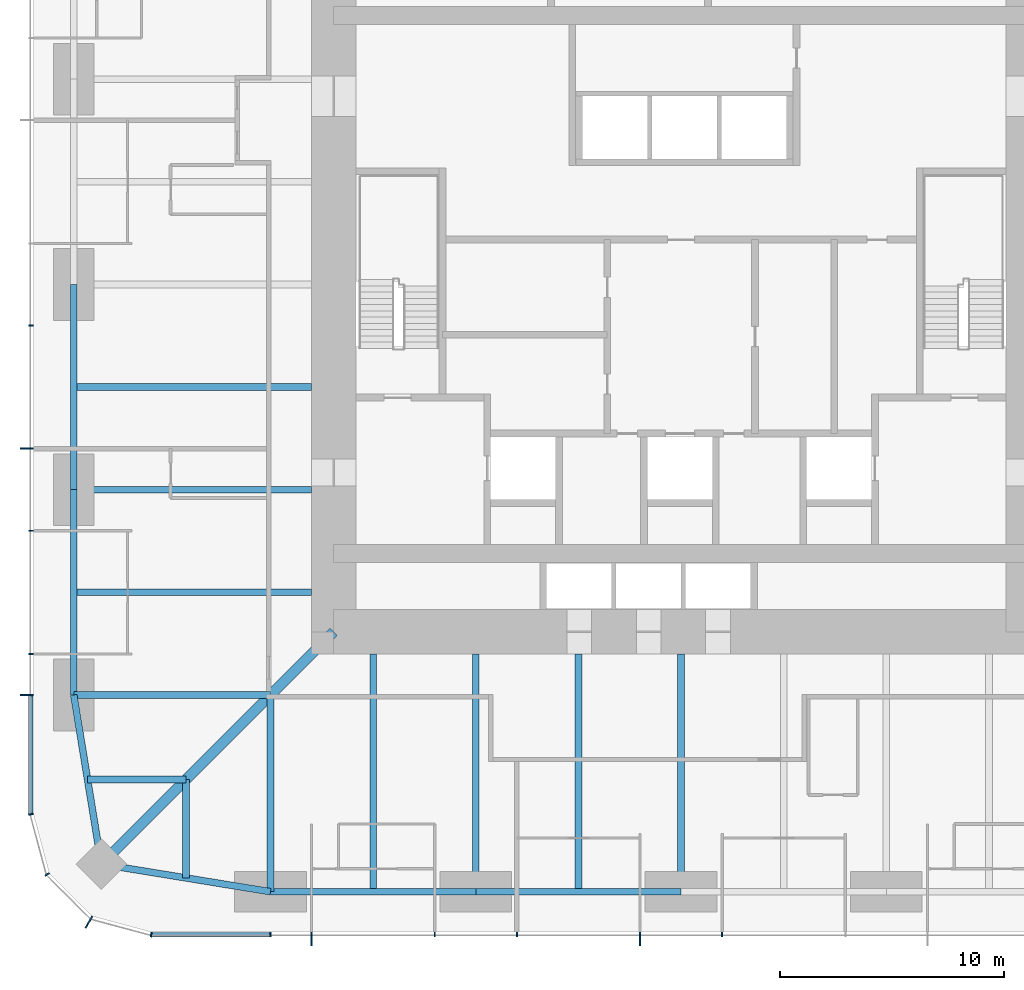
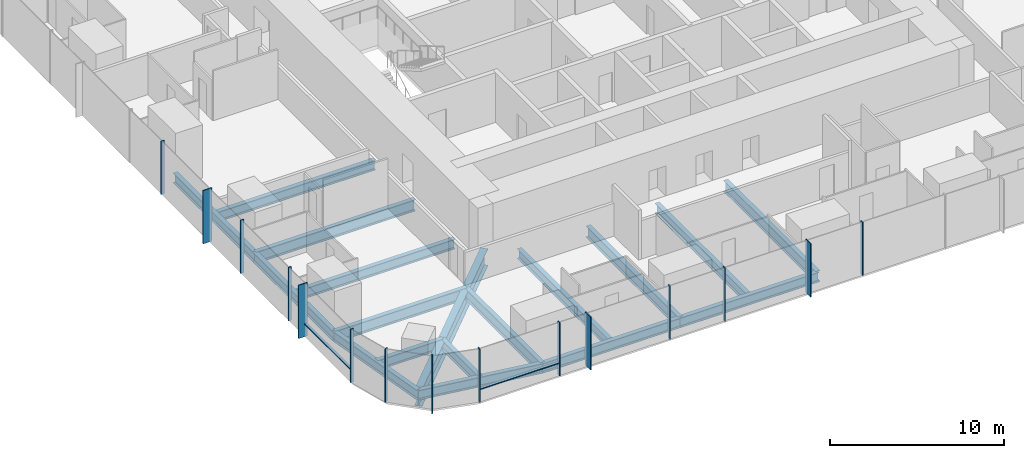
# One storey, part 2 of 13: 18 beams, 17 members, 3 elements without a shape of their own.
"""IFC4 building model written with IfcOpenShell, lengths in metres."""

import ifcopenshell
import ifcopenshell.guid

model = None  # the IFC model being written
_history = None  # IfcOwnerHistory: only IFC2X3 demands one
_inside = {}  # id of a spatial element -> (the spatial element, [elements in it])
_under = {}  # id of a project, library or spatial element -> (it, [spatial elements below it])
_declared = {}  # id of a project -> (the project, [libraries it declares])
_typed = {}  # id of a type object -> (the type object, [elements of that type])
_made_of = {}  # id of a material, layer set ... -> (it, [elements and type objects made of it])


def new_model(schema):
    """Start an empty IFC model of exactly this schema.

    Asked for "IFC4X3", IfcOpenShell would pick the latest addendum, in which some entities
    have other attributes; the version numbers below select the first issue.
    IFC2X3 requires an IfcOwnerHistory on every rooted entity: one is made here for all.
    """
    global model, _history
    if schema == "IFC4X3":
        model = ifcopenshell.file(schema_version=(4, 3, 0, 0))
    else:
        model = ifcopenshell.file(schema=schema)
    _inside.clear()
    _under.clear()
    _declared.clear()
    _typed.clear()
    _made_of.clear()
    _history = None
    if model.schema == "IFC2X3":
        org = make("IfcOrganization", Name="unknown")
        user = make(
            "IfcPersonAndOrganization",
            ThePerson=make("IfcPerson", FamilyName="unknown"),
            TheOrganization=org,
        )
        app = make(
            "IfcApplication",
            ApplicationDeveloper=org,
            Version="unknown",
            ApplicationFullName="unknown",
            ApplicationIdentifier="unknown",
        )
        _history = make(
            "IfcOwnerHistory",
            OwningUser=user,
            OwningApplication=app,
            ChangeAction="ADDED",
            CreationDate=0,
        )
    return model


def make(cls, **values):
    """One entity of the class cls with the attributes given. An attribute that is None is left unset."""
    return model.create_entity(
        cls, **{name: value for name, value in values.items() if value is not None}
    )


def rooted(cls, **values):
    """An entity with a GlobalId (a new one), such as an element, a storey or a relation."""
    return make(cls, GlobalId=ifcopenshell.guid.new(), OwnerHistory=_history, **values)


def si_unit(unit_type, name, prefix=None):
    """IfcSIUnit, for example si_unit("LENGTHUNIT", "METRE", prefix="MILLI")."""
    return make("IfcSIUnit", UnitType=unit_type, Prefix=prefix, Name=name)


def assignment(units):
    """IfcUnitAssignment: the units of a project."""
    return None if units is None else make("IfcUnitAssignment", Units=units)


def point(xyz):
    """IfcCartesianPoint."""
    return None if xyz is None else make("IfcCartesianPoint", Coordinates=xyz)


def direction(xyz):
    """IfcDirection."""
    return None if xyz is None else make("IfcDirection", DirectionRatios=xyz)


def frame(location, z_axis=None, x_axis=None):
    """IfcAxis2Placement3D, a coordinate frame: its origin and axes. An axis left out is left unset."""
    return make(
        "IfcAxis2Placement3D",
        Location=point(location),
        Axis=direction(z_axis),
        RefDirection=direction(x_axis),
    )


def frame_2d(location, x_axis=None):
    """IfcAxis2Placement2D, a coordinate frame in the plane: its origin and x axis."""
    return make(
        "IfcAxis2Placement2D", Location=point(location), RefDirection=direction(x_axis)
    )


def origin():
    """The frame at (0, 0, 0) with its axes left unset."""
    return frame((0.0, 0.0, 0.0))


def origin_2d():
    """The frame at (0, 0) in the plane with its x axis left unset."""
    return frame_2d((0.0, 0.0))


def place(relative_to, where):
    """IfcLocalPlacement: puts the frame where relative to a parent placement (None: the world)."""
    return make(
        "IfcLocalPlacement", PlacementRelTo=relative_to, RelativePlacement=where
    )


def context(
    kind, dimensions, precision=None, world=None, true_north=None, identifier=None
):
    """IfcGeometricRepresentationContext, for example the 3D "Model" context."""
    return make(
        "IfcGeometricRepresentationContext",
        ContextIdentifier=identifier,
        ContextType=kind,
        CoordinateSpaceDimension=dimensions,
        Precision=precision,
        WorldCoordinateSystem=world,
        TrueNorth=true_north,
    )


def subcontext(parent, identifier, kind, view, scale=None):
    """IfcGeometricRepresentationSubContext, for example "Body" below "Model"."""
    return make(
        "IfcGeometricRepresentationSubContext",
        ContextIdentifier=identifier,
        ContextType=kind,
        ParentContext=parent,
        TargetScale=scale,
        TargetView=view,
    )


def project(units=None, contexts=None):
    """IfcProject with its units and contexts."""
    return rooted(
        "IfcProject",
        Name="project",
        RepresentationContexts=contexts,
        UnitsInContext=assignment(units),
    )


def spatial(cls, under=None, at=None, **own):
    """A site, building, storey or space (cls), placed at a placement, below another one or the project."""
    s = rooted(cls, ObjectPlacement=at, **own)
    if under is not None:
        _under.setdefault(under.id(), (under, []))[1].append(s)
    return s


def profile(cls, at=None, kind="AREA", **sizes):
    """A parametric profile (cls). Its sizes go by their IFC names, for example OverallWidth=200.0."""
    return make(cls, ProfileType=kind, Position=at, **sizes)


def rectangle(**sizes):
    """IfcRectangleProfileDef."""
    return profile("IfcRectangleProfileDef", **sizes)


def i_section(**sizes):
    """IfcIShapeProfileDef."""
    return profile("IfcIShapeProfileDef", **sizes)


def extrude(swept, where, along, depth):
    """IfcExtrudedAreaSolid: the profile swept, set in the frame where, extruded along a direction by depth."""
    return make(
        "IfcExtrudedAreaSolid",
        SweptArea=swept,
        Position=where,
        ExtrudedDirection=direction(along),
        Depth=depth,
    )


def shape(context_of_items, identifier, shape_type, items):
    """IfcShapeRepresentation: the items that make up one representation, for example the "Body"."""
    return make(
        "IfcShapeRepresentation",
        ContextOfItems=context_of_items,
        RepresentationIdentifier=identifier,
        RepresentationType=shape_type,
        Items=items,
    )


def material(Name=None, Category=None):
    """IfcMaterial."""
    return make("IfcMaterial", Name=Name, Category=Category)


def material_profile(
    of_material, cross_section, Name=None, Category=None, Priority=None
):
    """IfcMaterialProfile: a cross section and its material."""
    return make(
        "IfcMaterialProfile",
        Name=Name,
        Material=of_material,
        Profile=cross_section,
        Priority=Priority,
        Category=Category,
    )


def profile_set(profiles, Name=None, composite=None):
    """IfcMaterialProfileSet."""
    return make(
        "IfcMaterialProfileSet",
        Name=Name,
        MaterialProfiles=profiles,
        CompositeProfile=composite,
    )


def made_of(thing, what):
    """Note that an element or type object is made of a material, layer set ...; save() writes the relation."""
    if what is not None:
        _made_of.setdefault(what.id(), (what, []))[1].append(thing)
    return thing


def type_object(cls, material=None, **own):
    """A type object (cls), such as IfcWallType, which elements share."""
    return made_of(rooted(cls, **own), material)


def element(
    cls,
    number,
    at=None,
    inside=None,
    cuts=None,
    type_object=None,
    material=None,
    context=None,
    identifier="Body",
    shape_type=None,
    held_by="IfcProductDefinitionShape",
    body=None,
    shapes=None,
    **own,
):
    """One element of the class cls, such as IfcWall. Its Tag is "e" and its number.

    at: its placement. inside: the storey or other place that contains it. cuts: it is an
    opening in that element (IfcRelVoidsElement). A single representation is given by context,
    identifier, shape_type and body (its items); several are given by shapes. held_by: the class
    of the entity that holds the representations. save() writes the other relations.
    """
    e = rooted(cls, Tag="e%d" % number, ObjectPlacement=at, **own)
    if body is not None:
        shapes = [shape(context, identifier, shape_type, body)]
    if shapes is not None:
        e.Representation = make(held_by, Representations=shapes)
    if inside is not None:
        _inside.setdefault(inside.id(), (inside, []))[1].append(e)
    if cuts is not None:
        rooted(
            "IfcRelVoidsElement", RelatingBuildingElement=cuts, RelatedOpeningElement=e
        )
    if type_object is not None:
        _typed.setdefault(type_object.id(), (type_object, []))[1].append(e)
    return made_of(e, material)


def aggregate(whole, parts):
    """IfcRelAggregates: a whole, such as a stair, and the parts it consists of."""
    return rooted("IfcRelAggregates", RelatingObject=whole, RelatedObjects=parts)


def save(model, path):
    """Write the relations noted so far, then the file.

    IfcRelAggregates (storeys below a building ...), IfcRelContainedInSpatialStructure (elements
    in a storey), IfcRelDefinesByType, IfcRelAssociatesMaterial and IfcRelDeclares: one each for
    every whole, place, type object, material and project.
    """
    for whole, parts in _under.values():
        aggregate(whole, parts)
    for where, things in _inside.values():
        rooted(
            "IfcRelContainedInSpatialStructure",
            RelatedElements=things,
            RelatingStructure=where,
        )
    for kind, things in _typed.values():
        rooted("IfcRelDefinesByType", RelatedObjects=things, RelatingType=kind)
    for what, things in _made_of.values():
        rooted("IfcRelAssociatesMaterial", RelatedObjects=things, RelatingMaterial=what)
    for by, libraries in _declared.values():
        rooted("IfcRelDeclares", RelatingContext=by, RelatedDefinitions=libraries)
    model.write(path)


model = new_model("IFC4")

# Units and contexts
model_context = context("Model", 3, precision=1e-05, world=origin(), true_north=direction((0.0, 1.0)))
body_context = subcontext(model_context, "Body", "Model", "MODEL_VIEW")
ifc_project = project(units=[si_unit("LENGTHUNIT", "METRE"), si_unit("AREAUNIT", "SQUARE_METRE"), si_unit("VOLUMEUNIT", "CUBIC_METRE"), si_unit("PLANEANGLEUNIT", "RADIAN"), si_unit("MASSUNIT", "GRAM", prefix="KILO")], contexts=[model_context])

# Site, building, storey
site_placement = place(None, origin())
site = spatial("IfcSite", under=ifc_project, at=site_placement, CompositionType="ELEMENT")
building_placement = place(site_placement, origin())
building = spatial("IfcBuilding", under=site, at=building_placement, Name="Khuree Lantern Residences", CompositionType="ELEMENT")
storey_placement = place(building_placement, frame((0.0, 0.0, 126.0)))
storey = spatial("IfcBuildingStorey", under=building, at=storey_placement, Name="L31", CompositionType="ELEMENT", Elevation=126.0)

# Beams
ifc_material_1 = material(Name="Steel S355", Category="steel")
ifc_material_profile_1 = material_profile(ifc_material_1, i_section(OverallWidth=0.300048828125, OverallDepth=0.68994140625, WebThickness=0.014404296875, FlangeThickness=0.027099609375, FilletRadius=0.027099609375, at=origin_2d()), Name="HE 700 A")
ifc_profile_set_1 = profile_set([ifc_material_profile_1], Name="Steel S355")
beam_type_1 = type_object("IfcBeamType", Name="B-22 SECONDARY BEAM HE 700 A", PredefinedType="BEAM", material=ifc_profile_set_1)
for number, where, z_axis, x_axis, name in (
    (1, (-4.580078125, -27.10009765625, -0.594970703125), (0.0, 1.0, 0.0), (-1.0, 0.0, 0.0), "Secondary beam S4"),
    (2, (-13.739990234375, -27.10009765625, -0.594970703125), (0.0, 1.0, 0.0), (-1.0, 0.0, 0.0), "Secondary beam S5"),
):
    element("IfcBeam", number, at=place(storey_placement, frame(where, z_axis=z_axis, x_axis=x_axis)), inside=storey, type_object=beam_type_1, Name=name, PredefinedType="BEAM", context=body_context, shape_type="SweptSolid", body=[
        extrude(i_section(OverallWidth=0.300048828125, OverallDepth=0.68994140625, WebThickness=0.014404296875, FlangeThickness=0.027099609375, FilletRadius=0.027099609375, at=origin_2d()), origin(), (0.0, 0.0, 1.0), 10.60009765625),
    ])
for number, where, z_axis, x_axis, name in (
    (3, (-22.094970703125, -26.48486328125, -0.594970703125), (0.0, 1.0, 0.0), (-1.0, 0.0, 0.0), "Secondary beam S6"),
    (4, (-26.48486328125, -22.094970703125, -0.594970703125), (1.0, 0.0, 0.0), (0.0, 1.0, 0.0), "Secondary beam W1"),
):
    element("IfcBeam", number, at=place(storey_placement, frame(where, z_axis=z_axis, x_axis=x_axis)), inside=storey, type_object=beam_type_1, Name=name, PredefinedType="BEAM", context=body_context, shape_type="SweptSolid", body=[
        extrude(i_section(OverallWidth=0.300048828125, OverallDepth=0.68994140625, WebThickness=0.014404296875, FlangeThickness=0.027099609375, FilletRadius=0.027099609375, at=origin_2d()), origin(), (0.0, 0.0, 1.0), 4.389892578125),
    ])
for number, where, z_axis, x_axis, name in (
    (5, (-27.10009765625, -13.739990234375, -0.594970703125), (1.0, 0.0, 0.0), (0.0, 1.0, 0.0), "Secondary beam W2"),
    (6, (-27.10009765625, -4.580078125, -0.594970703125), (1.0, 0.0, 0.0), (0.0, 1.0, 0.0), "Secondary beam W3"),
):
    element("IfcBeam", number, at=place(storey_placement, frame(where, z_axis=z_axis, x_axis=x_axis)), inside=storey, type_object=beam_type_1, Name=name, PredefinedType="BEAM", context=body_context, shape_type="SweptSolid", body=[
        extrude(i_section(OverallWidth=0.300048828125, OverallDepth=0.68994140625, WebThickness=0.014404296875, FlangeThickness=0.027099609375, FilletRadius=0.027099609375, at=origin_2d()), origin(), (0.0, 0.0, 1.0), 10.60009765625),
    ])
ifc_material_profile_2 = material_profile(ifc_material_1, i_section(OverallWidth=0.300048828125, OverallDepth=0.68994140625, WebThickness=0.014404296875, FlangeThickness=0.027099609375, FilletRadius=0.027099609375, at=origin_2d()), Name="HE 700 A")
ifc_profile_set_2 = profile_set([ifc_material_profile_2], Name="Steel S355")
beam_type_2 = type_object("IfcBeamType", Name="E-22 SPANDREL BEAM HE 700 A", PredefinedType="SPANDREL", material=ifc_profile_set_2)
beam_1_placement = place(storey_placement, frame((0.0, -27.10009765625, -0.594970703125), z_axis=(-1.0, 0.0, 0.0), x_axis=(0.0, -1.0, 0.0)))
element("IfcBeam", 7, at=beam_1_placement, inside=storey, type_object=beam_type_2, Name="Spandrel beam S4", PredefinedType="SPANDREL", context=body_context, shape_type="SweptSolid", body=[
    extrude(i_section(OverallWidth=0.300048828125, OverallDepth=0.68994140625, WebThickness=0.014404296875, FlangeThickness=0.027099609375, FilletRadius=0.027099609375, at=origin_2d()), origin(), (0.0, 0.0, 1.0), 9.159912109375),
])
beam_2_placement = place(storey_placement, frame((-9.159912109375, -27.10009765625, -0.594970703125), z_axis=(-1.0, 0.0, 0.0), x_axis=(0.0, -1.0, 0.0)))
element("IfcBeam", 8, at=beam_2_placement, inside=storey, type_object=beam_type_2, Name="Spandrel beam S5", PredefinedType="SPANDREL", context=body_context, shape_type="SweptSolid", body=[
    extrude(i_section(OverallWidth=0.300048828125, OverallDepth=0.68994140625, WebThickness=0.014404296875, FlangeThickness=0.027099609375, FilletRadius=0.027099609375, at=origin_2d()), origin(), (0.0, 0.0, 1.0), 9.16015625),
])
for number, where, z_axis, x_axis, name in (
    (9, (-18.320068359375, -27.10009765625, -0.594970703125), (-0.986982656839, 0.160826723833, 0.0), (-0.160826723833, -0.986982656839, 0.0), "Spandrel beam S6"),
    (10, (-25.869873046875, -25.869873046875, -0.594970703125), (-0.160826723833, 0.986982656839, 0.0), (-0.986982656839, -0.160826723833, 0.0), "Spandrel beam W1"),
):
    element("IfcBeam", number, at=place(storey_placement, frame(where, z_axis=z_axis, x_axis=x_axis)), inside=storey, type_object=beam_type_2, Name=name, PredefinedType="SPANDREL", context=body_context, shape_type="SweptSolid", body=[
        extrude(i_section(OverallWidth=0.300048828125, OverallDepth=0.68994140625, WebThickness=0.014404296875, FlangeThickness=0.027099609375, FilletRadius=0.027099609375, at=origin_2d()), origin(), (0.0, 0.0, 1.0), 7.6494140625),
    ])
beam_3_placement = place(storey_placement, frame((-27.10009765625, -18.320068359375, -0.594970703125), z_axis=(0.0, 1.0, 0.0), x_axis=(-1.0, 0.0, 0.0)))
element("IfcBeam", 11, at=beam_3_placement, inside=storey, type_object=beam_type_2, Name="Spandrel beam W2", PredefinedType="SPANDREL", context=body_context, shape_type="SweptSolid", body=[
    extrude(i_section(OverallWidth=0.300048828125, OverallDepth=0.68994140625, WebThickness=0.014404296875, FlangeThickness=0.027099609375, FilletRadius=0.027099609375, at=origin_2d()), origin(), (0.0, 0.0, 1.0), 9.16015625),
])
beam_4_placement = place(storey_placement, frame((-27.10009765625, -9.159912109375, -0.594970703125), z_axis=(0.0, 1.0, 0.0), x_axis=(-1.0, 0.0, 0.0)))
element("IfcBeam", 12, at=beam_4_placement, inside=storey, type_object=beam_type_2, Name="Spandrel beam W3", PredefinedType="SPANDREL", context=body_context, shape_type="SweptSolid", body=[
    extrude(i_section(OverallWidth=0.300048828125, OverallDepth=0.68994140625, WebThickness=0.014404296875, FlangeThickness=0.027099609375, FilletRadius=0.027099609375, at=origin_2d()), origin(), (0.0, 0.0, 1.0), 9.159912109375),
])

# Curtain wall, members
ifc_material_2 = material(Name="Bronze anodised aluminium", Category="aluminium")
curtain_wall_type_1 = type_object("IfcCurtainWallType", Name="CW-T1 TOWER FACE CURTAIN WALL", PredefinedType="USERDEFINED", material=ifc_material_2)
curtain_wall_1_placement = place(storey_placement, origin())
curtain_wall_1 = element("IfcCurtainWall", 13, at=curtain_wall_1_placement, inside=storey, type_object=curtain_wall_type_1, Name="L31 WEST FACE CURTAIN WALL", ObjectType="Stick-built curtain wall", PredefinedType="USERDEFINED")
ifc_material_profile_3 = material_profile(ifc_material_2, rectangle(XDim=0.06494140625, YDim=0.60009765625, at=origin_2d()), Name="F1 65X600")
ifc_profile_set_3 = profile_set([ifc_material_profile_3], Name="Bronze anodised aluminium")
member_type_1 = type_object("IfcMemberType", Name="F1 BRONZE FIN MULLION TOWER 65X600", PredefinedType="MULLION", material=ifc_profile_set_3)
member_1_placement = place(storey_placement, frame((-29.199951171875, -7.327880859375, 0.0), z_axis=(0.0, 0.0, 1.0), x_axis=(0.0, -1.0, 0.0)))
member_1 = element("IfcMember", 14, at=member_1_placement, type_object=member_type_1, Name="L31 WEST FACE FIN MULLION 39", PredefinedType="MULLION", context=body_context, shape_type="SweptSolid", body=[
    extrude(rectangle(XDim=0.06494140625, YDim=0.60009765625, at=origin_2d()), origin(), (0.0, 0.0, 1.0), 3.75),
])
member_2_placement = place(storey_placement, frame((-29.199951171875, -18.320068359375, 0.0), z_axis=(0.0, 0.0, 1.0), x_axis=(0.0, -1.0, 0.0)))
member_2 = element("IfcMember", 15, at=member_2_placement, type_object=member_type_1, Name="L31 WEST FACE FIN MULLION 42", PredefinedType="MULLION", context=body_context, shape_type="SweptSolid", body=[
    extrude(rectangle(XDim=0.06494140625, YDim=0.60009765625, at=origin_2d()), origin(), (0.0, 0.0, 1.0), 3.75),
])

# Curtain wall, member
curtain_wall_type_2 = type_object("IfcCurtainWallType", Name="CW-T2 TOWER CORNER CURTAIN WALL", PredefinedType="USERDEFINED", material=ifc_material_2)
curtain_wall_2_placement = place(storey_placement, origin())
curtain_wall_2 = element("IfcCurtainWall", 16, at=curtain_wall_2_placement, inside=storey, type_object=curtain_wall_type_2, Name="L31 SOUTH-WEST CORNER CURTAIN WALL", ObjectType="Faceted corner curtain wall", PredefinedType="USERDEFINED")
member_3_placement = place(storey_placement, frame((-26.425048828125, -28.45654296875, 0.0), z_axis=(0.0, 0.0, 1.0), x_axis=(0.866025388199, -0.500000026995, 0.0)))
member_3 = element("IfcMember", 17, at=member_3_placement, type_object=member_type_1, Name="L31 SOUTH-WEST CORNER FIN MULLION 45", PredefinedType="MULLION", context=body_context, shape_type="SweptSolid", body=[
    extrude(rectangle(XDim=0.06494140625, YDim=0.60009765625, at=origin_2d()), origin(), (0.0, 0.0, 1.0), 3.75),
])

# Curtain wall, members
curtain_wall_3_placement = place(storey_placement, origin())
curtain_wall_3 = element("IfcCurtainWall", 18, at=curtain_wall_3_placement, inside=storey, type_object=curtain_wall_type_1, Name="L31 SOUTH FACE CURTAIN WALL", ObjectType="Stick-built curtain wall", PredefinedType="USERDEFINED")
member_4_placement = place(storey_placement, frame((-16.488037109375, -29.199951171875, 0.0), z_axis=(0.0, 0.0, 1.0), x_axis=(1.0, 0.0, 0.0)))
member_4 = element("IfcMember", 19, at=member_4_placement, type_object=member_type_1, Name="L31 SOUTH FACE FIN MULLION 48", PredefinedType="MULLION", context=body_context, shape_type="SweptSolid", body=[
    extrude(rectangle(XDim=0.06494140625, YDim=0.60009765625, at=origin_2d()), origin(), (0.0, 0.0, 1.0), 3.75),
])
member_5_placement = place(storey_placement, frame((-1.83203125, -29.199951171875, 0.0), z_axis=(0.0, 0.0, 1.0), x_axis=(1.0, 0.0, 0.0)))
member_5 = element("IfcMember", 20, at=member_5_placement, type_object=member_type_1, Name="L31 SOUTH FACE FIN MULLION 51", PredefinedType="MULLION", context=body_context, shape_type="SweptSolid", body=[
    extrude(rectangle(XDim=0.06494140625, YDim=0.60009765625, at=origin_2d()), origin(), (0.0, 0.0, 1.0), 3.75),
])

# Beams
ifc_material_profile_4 = material_profile(ifc_material_1, i_section(OverallWidth=0.300048828125, OverallDepth=0.800048828125, WebThickness=0.017578125, FlangeThickness=0.032958984375, FilletRadius=0.030029296875, at=origin_2d()), Name="HE 800 B")
ifc_profile_set_4 = profile_set([ifc_material_profile_4], Name="Steel S355")
beam_type_3 = type_object("IfcBeamType", Name="G-22 GIRDER HE 800 B", PredefinedType="BEAM", material=ifc_profile_set_4)
for number, where, z_axis, x_axis, name in (
    (21, (0.0, -27.10009765625, -0.64990234375), (0.0, 1.0, 0.0), (-1.0, 0.0, 0.0), "Girder S3"),
    (22, (-9.159912109375, -27.10009765625, -0.64990234375), (0.0, 1.0, 0.0), (-1.0, 0.0, 0.0), "Girder S4"),
):
    element("IfcBeam", number, at=place(storey_placement, frame(where, z_axis=z_axis, x_axis=x_axis)), inside=storey, type_object=beam_type_3, Name=name, PredefinedType="BEAM", context=body_context, shape_type="SweptSolid", body=[
        extrude(i_section(OverallWidth=0.300048828125, OverallDepth=0.800048828125, WebThickness=0.017578125, FlangeThickness=0.032958984375, FilletRadius=0.030029296875, at=origin_2d()), origin(), (0.0, 0.0, 1.0), 10.60009765625),
    ])
for number, where, z_axis, x_axis, name in (
    (23, (-18.320068359375, -27.10009765625, -0.64990234375), (0.0, 1.0, 0.0), (-1.0, 0.0, 0.0), "Girder S5"),
    (24, (-27.10009765625, -18.320068359375, -0.64990234375), (1.0, 0.0, 0.0), (0.0, 1.0, 0.0), "Girder W1"),
):
    element("IfcBeam", number, at=place(storey_placement, frame(where, z_axis=z_axis, x_axis=x_axis)), inside=storey, type_object=beam_type_3, Name=name, PredefinedType="BEAM", context=body_context, shape_type="SweptSolid", body=[
        extrude(i_section(OverallWidth=0.300048828125, OverallDepth=0.800048828125, WebThickness=0.017578125, FlangeThickness=0.032958984375, FilletRadius=0.030029296875, at=origin_2d()), origin(), (0.0, 0.0, 1.0), 8.780029296875),
    ])
beam_5_placement = place(storey_placement, frame((-27.10009765625, -9.159912109375, -0.64990234375), z_axis=(1.0, 0.0, 0.0), x_axis=(0.0, 1.0, 0.0)))
element("IfcBeam", 25, at=beam_5_placement, inside=storey, type_object=beam_type_3, Name="Girder W2", PredefinedType="BEAM", context=body_context, shape_type="SweptSolid", body=[
    extrude(i_section(OverallWidth=0.300048828125, OverallDepth=0.800048828125, WebThickness=0.017578125, FlangeThickness=0.032958984375, FilletRadius=0.030029296875, at=origin_2d()), origin(), (0.0, 0.0, 1.0), 10.60009765625),
])
ifc_material_profile_5 = material_profile(ifc_material_1, i_section(OverallWidth=0.449951171875, OverallDepth=1.199951171875, WebThickness=0.02490234375, FlangeThickness=0.044921875, at=origin_2d()), Name="WELDED I 1200X450X25X45")
ifc_profile_set_5 = profile_set([ifc_material_profile_5], Name="Steel S355")
beam_type_4 = type_object("IfcBeamType", Name="GD-22 CORNER GIRDER WELDED I 1200X450X25X45", PredefinedType="BEAM", material=ifc_profile_set_5)
beam_6_placement = place(storey_placement, frame((-25.869873046875, -25.869873046875, -0.85009765625), z_axis=(0.707106781187, 0.707106781187, 0.0), x_axis=(-0.707106781187, 0.707106781187, 0.0)))
element("IfcBeam", 26, at=beam_6_placement, inside=storey, type_object=beam_type_4, Name="Corner girder SW", PredefinedType="BEAM", context=body_context, shape_type="SweptSolid", body=[
    extrude(i_section(OverallWidth=0.449951171875, OverallDepth=1.199951171875, WebThickness=0.02490234375, FlangeThickness=0.044921875, at=origin_2d()), origin(), (0.0, 0.0, 1.0), 14.665283203125),
])

# Member
ifc_material_profile_6 = material_profile(ifc_material_2, rectangle(XDim=0.06494140625, YDim=0.219970703125, at=origin_2d()), Name="M1 65X220")
ifc_profile_set_6 = profile_set([ifc_material_profile_6], Name="Bronze anodised aluminium")
member_type_2 = type_object("IfcMemberType", Name="M1 BRONZE MULLION TOWER 65X220", PredefinedType="MULLION", material=ifc_profile_set_6)
member_6_placement = place(storey_placement, frame((-29.010009765625, -1.83203125, 0.0), z_axis=(0.0, 0.0, 1.0), x_axis=(0.0, -1.0, 0.0)))
member_6 = element("IfcMember", 27, at=member_6_placement, type_object=member_type_2, Name="L31 WEST FACE MULLION 38", PredefinedType="MULLION", context=body_context, shape_type="SweptSolid", body=[
    extrude(rectangle(XDim=0.06494140625, YDim=0.219970703125, at=origin_2d()), origin(), (0.0, 0.0, 1.0), 3.75),
])

member_7_placement = place(storey_placement, frame((-29.010009765625, -10.991943359375, 0.0), z_axis=(0.0, 0.0, 1.0), x_axis=(0.0, -1.0, 0.0)))
member_7 = element("IfcMember", 28, at=member_7_placement, type_object=member_type_2, Name="L31 WEST FACE MULLION 40", PredefinedType="MULLION", context=body_context, shape_type="SweptSolid", body=[
    extrude(rectangle(XDim=0.06494140625, YDim=0.219970703125, at=origin_2d()), origin(), (0.0, 0.0, 1.0), 3.75),
])

member_8_placement = place(storey_placement, frame((-29.010009765625, -16.488037109375, 0.0), z_axis=(0.0, 0.0, 1.0), x_axis=(0.0, -1.0, 0.0)))
member_8 = element("IfcMember", 29, at=member_8_placement, type_object=member_type_2, Name="L31 WEST FACE MULLION 41", PredefinedType="MULLION", context=body_context, shape_type="SweptSolid", body=[
    extrude(rectangle(XDim=0.06494140625, YDim=0.219970703125, at=origin_2d()), origin(), (0.0, 0.0, 1.0), 3.75),
])

member_9_placement = place(storey_placement, frame((-29.01171875, -23.64501953125, 0.0), z_axis=(0.0, 0.0, 1.0), x_axis=(0.130526223125, -0.991444857305, 0.0)))
member_9 = element("IfcMember", 30, at=member_9_placement, type_object=member_type_2, Name="L31 SOUTH-WEST CORNER MULLION 43", PredefinedType="MULLION", context=body_context, shape_type="SweptSolid", body=[
    extrude(rectangle(XDim=0.06494140625, YDim=0.219970703125, at=origin_2d()), origin(), (0.0, 0.0, 1.0), 3.75),
])

member_10_placement = place(storey_placement, frame((-28.2919921875, -26.330078125, 0.0), z_axis=(0.0, 0.0, 1.0), x_axis=(0.500000026995, -0.866025388199, 0.0)))
member_10 = element("IfcMember", 31, at=member_10_placement, type_object=member_type_2, Name="L31 SOUTH-WEST CORNER MULLION 44", PredefinedType="MULLION", context=body_context, shape_type="SweptSolid", body=[
    extrude(rectangle(XDim=0.06494140625, YDim=0.219970703125, at=origin_2d()), origin(), (0.0, 0.0, 1.0), 3.75),
])

aggregate(curtain_wall_2, [member_9, member_10, member_3])

member_11_placement = place(storey_placement, frame((-23.64501953125, -29.01171875, 0.0), z_axis=(0.0, 0.0, 1.0), x_axis=(0.991444857305, -0.130526223125, 0.0)))
member_11 = element("IfcMember", 32, at=member_11_placement, type_object=member_type_2, Name="L31 SOUTH FACE MULLION 46", PredefinedType="MULLION", context=body_context, shape_type="SweptSolid", body=[
    extrude(rectangle(XDim=0.06494140625, YDim=0.219970703125, at=origin_2d()), origin(), (0.0, 0.0, 1.0), 3.75),
])

member_12_placement = place(storey_placement, frame((-18.320068359375, -29.010009765625, 0.0), z_axis=(0.0, 0.0, 1.0), x_axis=(1.0, 0.0, 0.0)))
member_12 = element("IfcMember", 33, at=member_12_placement, type_object=member_type_2, Name="L31 SOUTH FACE MULLION 47", PredefinedType="MULLION", context=body_context, shape_type="SweptSolid", body=[
    extrude(rectangle(XDim=0.06494140625, YDim=0.219970703125, at=origin_2d()), origin(), (0.0, 0.0, 1.0), 3.75),
])

member_13_placement = place(storey_placement, frame((-10.991943359375, -29.010009765625, 0.0), z_axis=(0.0, 0.0, 1.0), x_axis=(1.0, 0.0, 0.0)))
member_13 = element("IfcMember", 34, at=member_13_placement, type_object=member_type_2, Name="L31 SOUTH FACE MULLION 49", PredefinedType="MULLION", context=body_context, shape_type="SweptSolid", body=[
    extrude(rectangle(XDim=0.06494140625, YDim=0.219970703125, at=origin_2d()), origin(), (0.0, 0.0, 1.0), 3.75),
])

member_14_placement = place(storey_placement, frame((-7.327880859375, -29.010009765625, 0.0), z_axis=(0.0, 0.0, 1.0), x_axis=(1.0, 0.0, 0.0)))
member_14 = element("IfcMember", 35, at=member_14_placement, type_object=member_type_2, Name="L31 SOUTH FACE MULLION 50", PredefinedType="MULLION", context=body_context, shape_type="SweptSolid", body=[
    extrude(rectangle(XDim=0.06494140625, YDim=0.219970703125, at=origin_2d()), origin(), (0.0, 0.0, 1.0), 3.75),
])

member_15_placement = place(storey_placement, frame((1.83203125, -29.010009765625, 0.0), z_axis=(0.0, 0.0, 1.0), x_axis=(1.0, 0.0, 0.0)))
member_15 = element("IfcMember", 36, at=member_15_placement, type_object=member_type_2, Name="L31 SOUTH FACE MULLION 52", PredefinedType="MULLION", context=body_context, shape_type="SweptSolid", body=[
    extrude(rectangle(XDim=0.06494140625, YDim=0.219970703125, at=origin_2d()), origin(), (0.0, 0.0, 1.0), 3.75),
])

ifc_material_profile_7 = material_profile(ifc_material_2, rectangle(XDim=0.179931640625, YDim=0.06494140625, at=origin_2d()), Name="T1 180X65")
ifc_profile_set_7 = profile_set([ifc_material_profile_7], Name="Bronze anodised aluminium")
member_type_3 = type_object("IfcMemberType", Name="TRANSOM T1 TOWER 180X65", PredefinedType="USERDEFINED", material=ifc_profile_set_7)
member_16_placement = place(storey_placement, frame((-29.02001953125, -18.3525390625, 0.89990234375), z_axis=(0.0, -1.0, 0.0), x_axis=(1.0, 0.0, 0.0)))
member_16 = element("IfcMember", 37, at=member_16_placement, type_object=member_type_3, Name="L31 WEST FACE TRANSOM 42.1", ObjectType="Transom", PredefinedType="USERDEFINED", context=body_context, shape_type="SweptSolid", body=[
    extrude(rectangle(XDim=0.179931640625, YDim=0.06494140625, at=origin_2d()), origin(), (0.0, 0.0, 1.0), 5.248779296875),
])

aggregate(curtain_wall_1, [member_6, member_1, member_7, member_8, member_2, member_16])

member_17_placement = place(storey_placement, frame((-23.601318359375, -29.02001953125, 0.89990234375), z_axis=(1.0, 0.0, 0.0), x_axis=(0.0, 1.0, 0.0)))
member_17 = element("IfcMember", 38, at=member_17_placement, type_object=member_type_3, Name="L31 SOUTH FACE TRANSOM 46.1", ObjectType="Transom", PredefinedType="USERDEFINED", context=body_context, shape_type="SweptSolid", body=[
    extrude(rectangle(XDim=0.179931640625, YDim=0.06494140625, at=origin_2d()), origin(), (0.0, 0.0, 1.0), 5.248779296875),
])

aggregate(curtain_wall_3, [member_11, member_12, member_4, member_13, member_14, member_5, member_15, member_17])

save(model, "model.ifc")
